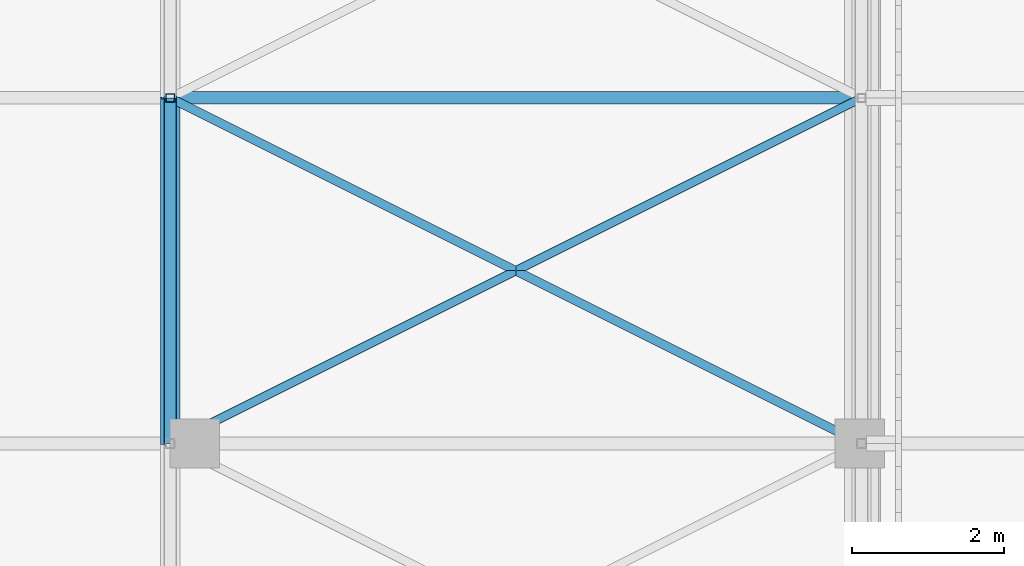
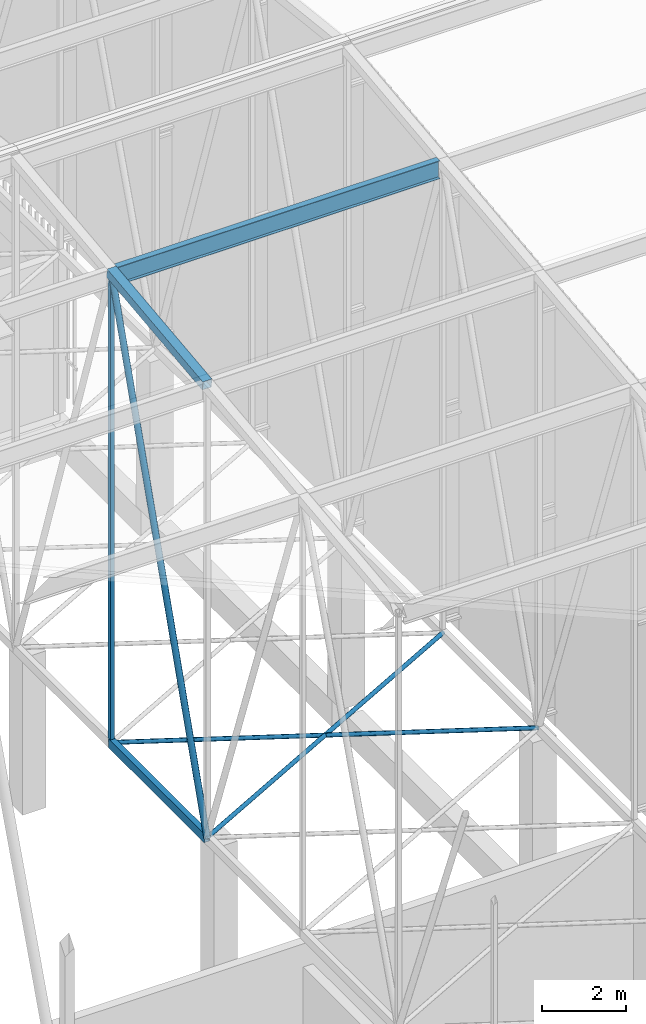
# One storey, part 365 of 500: 7 members.
"""IFC4 building model written with IfcOpenShell, lengths in metres."""

from ifc_helpers import new_model, si_unit, direction, frame, origin, origin_2d, place, context, subcontext, project, spatial, hollow_rectangle, hollow_circle, i_section, extrude, material, material_profile, profile_set, type_object, element, save


model = new_model("IFC4")

# Units and contexts
model_context = context("Model", 3, precision=1e-05, world=origin(), true_north=direction((0.0, 1.0)))
body_context = subcontext(model_context, "Body", "Model", "MODEL_VIEW")
ifc_project = project(units=[si_unit("LENGTHUNIT", "METRE"), si_unit("AREAUNIT", "SQUARE_METRE"), si_unit("VOLUMEUNIT", "CUBIC_METRE"), si_unit("PLANEANGLEUNIT", "RADIAN"), si_unit("MASSUNIT", "GRAM", prefix="KILO")], contexts=[model_context])

# Site, building, storey
site_placement = place(None, origin())
site = spatial("IfcSite", under=ifc_project, at=site_placement, CompositionType="ELEMENT")
building_placement = place(site_placement, origin())
building = spatial("IfcBuilding", under=site, at=building_placement, Name="Shirokan Park Arena", CompositionType="ELEMENT")
storey_placement = place(building_placement, frame((0.0, 0.0, 29.1201171875)))
storey = spatial("IfcBuildingStorey", under=building, at=storey_placement, Name="L06", CompositionType="ELEMENT", Elevation=29.1201171875)

# Members
ifc_material_1 = material(Name="Steel ASTM A500 Grade C", Category="steel")
ifc_material_profile_1 = material_profile(ifc_material_1, hollow_rectangle(XDim=0.152099609375, YDim=0.25390625, WallThickness=0.009521484375, at=origin_2d()), Name="HSS254X152.4X9.5")
ifc_profile_set_1 = profile_set([ifc_material_profile_1], Name="Steel ASTM A500 Grade C")
member_type_1 = type_object("IfcMemberType", Name="Bottom chord HSS254X152.4X9.5", PredefinedType="CHORD", material=ifc_profile_set_1)
member_1_placement = place(storey_placement, frame((136.5, 45.5, 4.677001953125), z_axis=(0.0, 1.0, 0.0), x_axis=(-1.0, 0.0, 0.0)))
element("IfcMember", 1, at=member_1_placement, inside=storey, type_object=member_type_1, Name="Truss T16 bottom chord 13", PredefinedType="CHORD", context=body_context, shape_type="SweptSolid", body=[
    extrude(hollow_rectangle(XDim=0.152099609375, YDim=0.25390625, WallThickness=0.009521484375, at=origin_2d()), origin(), (0.0, 0.0, 1.0), 4.550048828125),
])
ifc_material_profile_2 = material_profile(ifc_material_1, hollow_circle(Radius=0.056884765625, WallThickness=0.006103515625, at=origin_2d()), Name="HSS114.3X6")
ifc_profile_set_2 = profile_set([ifc_material_profile_2], Name="Steel ASTM A500 Grade C")
member_type_2 = type_object("IfcMemberType", Name="Plan bracing HSS114.3X6", PredefinedType="BRACE", material=ifc_profile_set_2)
for number, where, z_axis, x_axis, name in (
    (2, (136.5, 45.5, 4.677001953125), (0.894427191, 0.4472135955, 0.0), (-0.4472135955, 0.894427191, 0.0), "Plan bracing bay 16 panel 13 A"),
    (3, (145.60009765625, 45.5, 4.677001953125), (-0.894427191, 0.4472135955, 0.0), (-0.4472135955, -0.894427191, 0.0), "Plan bracing bay 16 panel 13 B"),
):
    element("IfcMember", number, at=place(storey_placement, frame(where, z_axis=z_axis, x_axis=x_axis)), inside=storey, type_object=member_type_2, Name=name, PredefinedType="BRACE", context=body_context, shape_type="SweptSolid", body=[
        extrude(hollow_circle(Radius=0.056884765625, WallThickness=0.006103515625, at=origin_2d()), origin(), (0.0, 0.0, 1.0), 10.17431640625),
    ])
ifc_material_2 = material(Name="Steel ASTM A992", Category="steel")
ifc_material_profile_3 = material_profile(ifc_material_2, i_section(OverallWidth=0.166015625, OverallDepth=0.528076171875, WebThickness=0.009765625, FlangeThickness=0.013671875, at=origin_2d()), Name="W530X74")
ifc_profile_set_3 = profile_set([ifc_material_profile_3], Name="Steel ASTM A992")
member_type_3 = type_object("IfcMemberType", Name="Purlin W530X74", PredefinedType="PURLIN", material=ifc_profile_set_3)
member_2_placement = place(storey_placement, frame((136.626953125, 50.050048828125, 18.205810546875), z_axis=(1.0, 0.0, 0.0), x_axis=(0.0, 1.0, 0.0)))
element("IfcMember", 4, at=member_2_placement, inside=storey, type_object=member_type_3, Name="Purlin 14 bay 16", PredefinedType="PURLIN", context=body_context, shape_type="SweptSolid", body=[
    extrude(i_section(OverallWidth=0.166015625, OverallDepth=0.528076171875, WebThickness=0.009765625, FlangeThickness=0.013671875, at=origin_2d()), origin(), (0.0, 0.0, 1.0), 8.845947265625),
])
ifc_material_profile_4 = material_profile(ifc_material_1, hollow_rectangle(XDim=0.25390625, YDim=0.25390625, WallThickness=0.009521484375, at=origin_2d()), Name="HSS254X254X9.5")
ifc_profile_set_4 = profile_set([ifc_material_profile_4], Name="Steel ASTM A500 Grade C")
member_type_4 = type_object("IfcMemberType", Name="Top chord HSS254X254X9.5", PredefinedType="CHORD", material=ifc_profile_set_4)
member_3_placement = place(storey_placement, frame((136.5, 45.5, 17.822998046875), z_axis=(0.0, 0.993538341779, 0.113496975353), x_axis=(-1.0, 0.0, 0.0)))
element("IfcMember", 5, at=member_3_placement, inside=storey, type_object=member_type_4, Name="Truss T16 top chord 13", PredefinedType="CHORD", context=body_context, shape_type="SweptSolid", body=[
    extrude(hollow_rectangle(XDim=0.25390625, YDim=0.25390625, WallThickness=0.009521484375, at=origin_2d()), origin(), (0.0, 0.0, 1.0), 4.57958984375),
])
ifc_material_profile_5 = material_profile(ifc_material_1, hollow_circle(Radius=0.083984375, WallThickness=0.009521484375, at=origin_2d()), Name="HSS168.3X9.5")
ifc_profile_set_5 = profile_set([ifc_material_profile_5], Name="Steel ASTM A500 Grade C")
member_type_5 = type_object("IfcMemberType", Name="Truss diagonal HSS168.3X9.5", PredefinedType="BRACE", material=ifc_profile_set_5)
member_4_placement = place(storey_placement, frame((136.5, 45.5, 4.677001953125), z_axis=(0.0, 0.315902302102, 0.948791723998), x_axis=(-1.0, 0.0, 0.0)))
element("IfcMember", 6, at=member_4_placement, inside=storey, type_object=member_type_5, Name="Truss T16 diagonal 13", PredefinedType="BRACE", context=body_context, shape_type="SweptSolid", body=[
    extrude(hollow_circle(Radius=0.083984375, WallThickness=0.009521484375, at=origin_2d()), origin(), (0.0, 0.0, 1.0), 14.4033203125),
])
ifc_material_profile_6 = material_profile(ifc_material_1, hollow_rectangle(XDim=0.114013671875, YDim=0.114013671875, WallThickness=0.00634765625, at=origin_2d()), Name="HSS114.3X114.3X6.4")
ifc_profile_set_6 = profile_set([ifc_material_profile_6], Name="Steel ASTM A500 Grade C")
member_type_6 = type_object("IfcMemberType", Name="Truss post HSS114.3X114.3X6.4", PredefinedType="POST", material=ifc_profile_set_6)
member_5_placement = place(storey_placement, frame((136.5, 50.050048828125, 4.677001953125), z_axis=(0.0, 0.0, 1.0), x_axis=(1.0, 0.0, 0.0)))
element("IfcMember", 7, at=member_5_placement, inside=storey, type_object=member_type_6, Name="Truss T16 post 14", PredefinedType="POST", context=body_context, shape_type="SweptSolid", body=[
    extrude(hollow_rectangle(XDim=0.114013671875, YDim=0.114013671875, WallThickness=0.00634765625, at=origin_2d()), origin(), (0.0, 0.0, 1.0), 13.665771484375),
])

save(model, "model.ifc")
